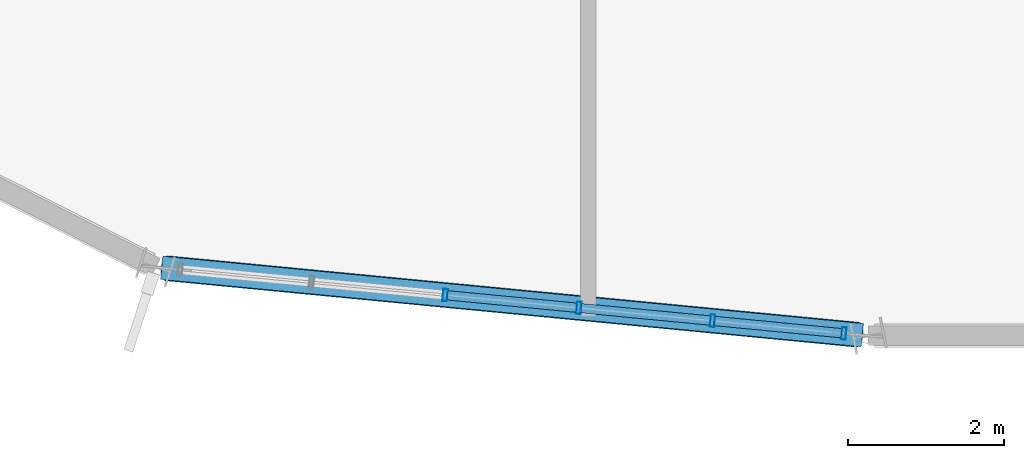
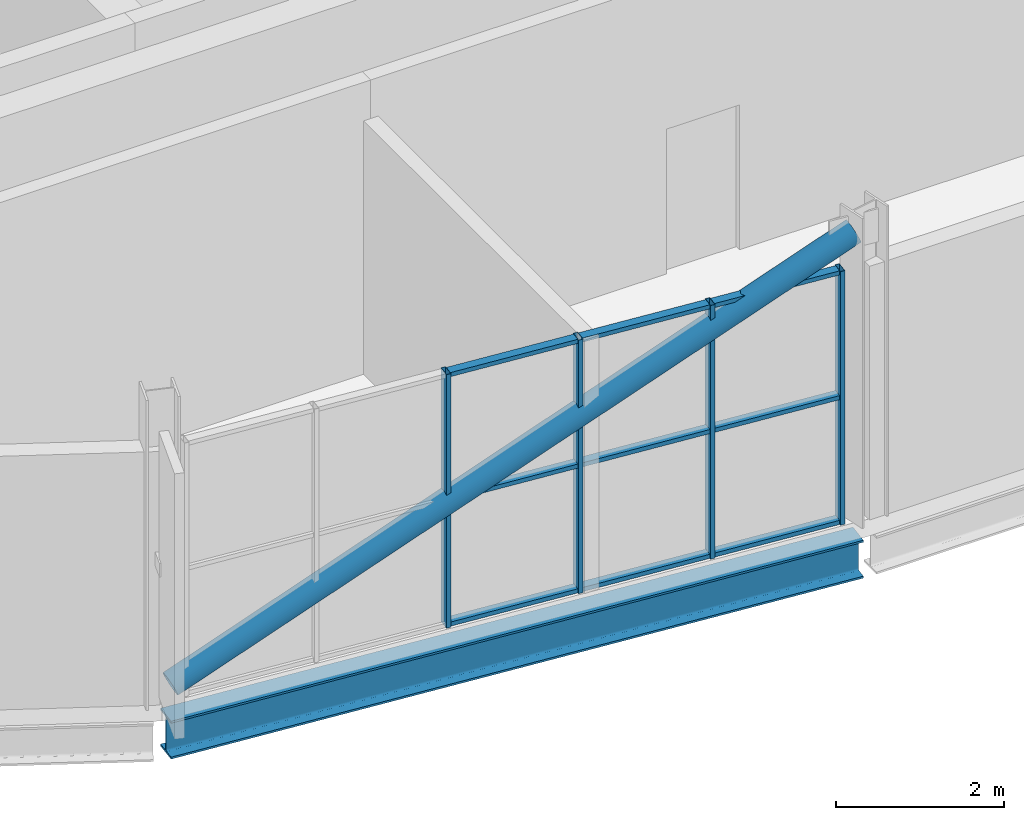
# One storey, part 5 of 22: 14 members, 1 beam, 1 element without a shape of its own.
"""IFC4 building model written with IfcOpenShell, lengths in metres."""

from ifc_helpers import new_model, si_unit, direction, frame, origin, origin_2d, place, context, subcontext, project, spatial, hollow_rectangle, hollow_circle, i_section, extrude, material, layer, layer_set, material_profile, profile_set, type_object, element, aggregate, save


model = new_model("IFC4")

# Units and contexts
model_context = context("Model", 3, precision=1e-05, world=origin(), true_north=direction((0.0, 1.0)))
body_context = subcontext(model_context, "Body", "Model", "MODEL_VIEW")
ifc_project = project(units=[si_unit("LENGTHUNIT", "METRE"), si_unit("AREAUNIT", "SQUARE_METRE"), si_unit("VOLUMEUNIT", "CUBIC_METRE"), si_unit("PLANEANGLEUNIT", "RADIAN"), si_unit("MASSUNIT", "GRAM", prefix="KILO")], contexts=[model_context])

# Site, building, storey
site_placement = place(None, origin())
site = spatial("IfcSite", under=ifc_project, at=site_placement, CompositionType="ELEMENT")
building_placement = place(site_placement, origin())
building = spatial("IfcBuilding", under=site, at=building_placement, Name="Solnavia Interchange Tower", CompositionType="ELEMENT")
storey_placement = place(building_placement, frame((0.0, 0.0, 308.699951171875)))
storey = spatial("IfcBuildingStorey", under=building, at=storey_placement, Name="C02", CompositionType="ELEMENT", Elevation=308.699951171875)

# Curtain wall, members
ifc_material_1 = material(Name="Aluminium Alloy 6063-T6", Category="aluminium")
ifc_layer = layer(ifc_material_1, 0.179931640625)
ifc_layer_set = layer_set([ifc_layer], Name="Aluminium Alloy 6063-T6")
curtain_wall_type = type_object("IfcCurtainWallType", Name="CurtainWall-Crown-CTW6", PredefinedType="NOTDEFINED", material=ifc_layer_set)
curtain_wall_placement = place(storey_placement, origin())
curtain_wall = element("IfcCurtainWall", 1, at=curtain_wall_placement, inside=storey, type_object=curtain_wall_type, Name="CTW-C02-R13 CTW-6 curtain wall", PredefinedType="NOTDEFINED")
ifc_material_profile_1 = material_profile(ifc_material_1, hollow_rectangle(XDim=0.06005859375, YDim=0.159912109375, WallThickness=0.00390625, at=origin_2d()), Name="ALU 160x60x4")
ifc_profile_set_1 = profile_set([ifc_material_profile_1], Name="Aluminium Alloy 6063-T6")
member_type_1 = type_object("IfcMemberType", Name="CW-Mullion-CWM-6", PredefinedType="MULLION", material=ifc_profile_set_1)
member_1_placement = place(storey_placement, frame((23.3603515625, 4.123046875, 0.0), z_axis=(0.0, 0.0, 1.0), x_axis=(0.995408264531, -0.095720357833, 0.0)))
member_1 = element("IfcMember", 2, at=member_1_placement, type_object=member_type_1, Name="CTW-6 mullion 3", PredefinedType="MULLION", context=body_context, shape_type="SweptSolid", body=[
    extrude(hollow_rectangle(XDim=0.06005859375, YDim=0.159912109375, WallThickness=0.00390625, at=origin_2d()), origin(), (0.0, 0.0, 1.0), 3.679931640625),
])
member_2_placement = place(storey_placement, frame((25.077880859375, 3.9580078125, 0.0), z_axis=(0.0, 0.0, 1.0), x_axis=(0.995408264531, -0.095720357833, 0.0)))
member_2 = element("IfcMember", 3, at=member_2_placement, type_object=member_type_1, Name="CTW-6 mullion 4", PredefinedType="MULLION", context=body_context, shape_type="SweptSolid", body=[
    extrude(hollow_rectangle(XDim=0.06005859375, YDim=0.159912109375, WallThickness=0.00390625, at=origin_2d()), origin(), (0.0, 0.0, 1.0), 3.679931640625),
])
member_3_placement = place(storey_placement, frame((26.795166015625, 3.792724609375, 0.0), z_axis=(0.0, 0.0, 1.0), x_axis=(0.995408264531, -0.095720357833, 0.0)))
member_3 = element("IfcMember", 4, at=member_3_placement, type_object=member_type_1, Name="CTW-6 mullion 5", PredefinedType="MULLION", context=body_context, shape_type="SweptSolid", body=[
    extrude(hollow_rectangle(XDim=0.06005859375, YDim=0.159912109375, WallThickness=0.00390625, at=origin_2d()), origin(), (0.0, 0.0, 1.0), 3.679931640625),
])
member_4_placement = place(storey_placement, frame((28.48291015625, 3.63037109375, 0.0), z_axis=(0.0, 0.0, 1.0), x_axis=(0.995408264531, -0.095720357833, 0.0)))
member_4 = element("IfcMember", 5, at=member_4_placement, type_object=member_type_1, Name="CTW-6 mullion 6", PredefinedType="MULLION", context=body_context, shape_type="SweptSolid", body=[
    extrude(hollow_rectangle(XDim=0.06005859375, YDim=0.159912109375, WallThickness=0.00390625, at=origin_2d()), origin(), (0.0, 0.0, 1.0), 3.679931640625),
])
ifc_material_profile_2 = material_profile(ifc_material_1, hollow_rectangle(XDim=0.06005859375, YDim=0.1201171875, WallThickness=0.00390625, at=origin_2d()), Name="ALU 120x60x4")
ifc_profile_set_2 = profile_set([ifc_material_profile_2], Name="Aluminium Alloy 6063-T6")
member_type_2 = type_object("IfcMemberType", Name="CW-Transom-CWT-6", PredefinedType="USERDEFINED", material=ifc_profile_set_2)
member_5_placement = place(storey_placement, frame((23.39013671875, 4.1201171875, 0.030029296875), z_axis=(0.995407417391, -0.095729166945, 0.0), x_axis=(0.0, 0.0, 1.0)))
member_5 = element("IfcMember", 6, at=member_5_placement, type_object=member_type_2, Name="CTW-6 transom 3.1", ObjectType="TRANSOM", PredefinedType="USERDEFINED", context=body_context, shape_type="SweptSolid", body=[
    extrude(hollow_rectangle(XDim=0.06005859375, YDim=0.1201171875, WallThickness=0.00390625, at=origin_2d()), origin(), (0.0, 0.0, 1.0), 1.665283203125),
])
member_6_placement = place(storey_placement, frame((23.39013671875, 4.1201171875, 1.840087890625), z_axis=(0.995407417391, -0.095729166945, 0.0), x_axis=(0.0, 0.0, 1.0)))
member_6 = element("IfcMember", 7, at=member_6_placement, type_object=member_type_2, Name="CTW-6 transom 3.2", ObjectType="TRANSOM", PredefinedType="USERDEFINED", context=body_context, shape_type="SweptSolid", body=[
    extrude(hollow_rectangle(XDim=0.06005859375, YDim=0.1201171875, WallThickness=0.00390625, at=origin_2d()), origin(), (0.0, 0.0, 1.0), 1.665283203125),
])
member_7_placement = place(storey_placement, frame((23.39013671875, 4.1201171875, 3.650146484375), z_axis=(0.995407417391, -0.095729166945, 0.0), x_axis=(0.0, 0.0, 1.0)))
member_7 = element("IfcMember", 8, at=member_7_placement, type_object=member_type_2, Name="CTW-6 transom 3.3", ObjectType="TRANSOM", PredefinedType="USERDEFINED", context=body_context, shape_type="SweptSolid", body=[
    extrude(hollow_rectangle(XDim=0.06005859375, YDim=0.1201171875, WallThickness=0.00390625, at=origin_2d()), origin(), (0.0, 0.0, 1.0), 1.665283203125),
])
member_8_placement = place(storey_placement, frame((25.107666015625, 3.955078125, 0.030029296875), z_axis=(0.995407417391, -0.095729166945, 0.0), x_axis=(0.0, 0.0, 1.0)))
member_8 = element("IfcMember", 9, at=member_8_placement, type_object=member_type_2, Name="CTW-6 transom 4.1", ObjectType="TRANSOM", PredefinedType="USERDEFINED", context=body_context, shape_type="SweptSolid", body=[
    extrude(hollow_rectangle(XDim=0.06005859375, YDim=0.1201171875, WallThickness=0.00390625, at=origin_2d()), origin(), (0.0, 0.0, 1.0), 1.665283203125),
])
member_9_placement = place(storey_placement, frame((25.107666015625, 3.955078125, 1.840087890625), z_axis=(0.995407417391, -0.095729166945, 0.0), x_axis=(0.0, 0.0, 1.0)))
member_9 = element("IfcMember", 10, at=member_9_placement, type_object=member_type_2, Name="CTW-6 transom 4.2", ObjectType="TRANSOM", PredefinedType="USERDEFINED", context=body_context, shape_type="SweptSolid", body=[
    extrude(hollow_rectangle(XDim=0.06005859375, YDim=0.1201171875, WallThickness=0.00390625, at=origin_2d()), origin(), (0.0, 0.0, 1.0), 1.665283203125),
])
member_10_placement = place(storey_placement, frame((25.107666015625, 3.955078125, 3.650146484375), z_axis=(0.995407417391, -0.095729166945, 0.0), x_axis=(0.0, 0.0, 1.0)))
member_10 = element("IfcMember", 11, at=member_10_placement, type_object=member_type_2, Name="CTW-6 transom 4.3", ObjectType="TRANSOM", PredefinedType="USERDEFINED", context=body_context, shape_type="SweptSolid", body=[
    extrude(hollow_rectangle(XDim=0.06005859375, YDim=0.1201171875, WallThickness=0.00390625, at=origin_2d()), origin(), (0.0, 0.0, 1.0), 1.665283203125),
])
member_11_placement = place(storey_placement, frame((26.8251953125, 3.789794921875, 0.030029296875), z_axis=(0.995411216921, -0.095689650577, 0.0), x_axis=(0.0, 0.0, 1.0)))
member_11 = element("IfcMember", 12, at=member_11_placement, type_object=member_type_2, Name="CTW-6 transom 5.1", ObjectType="TRANSOM", PredefinedType="USERDEFINED", context=body_context, shape_type="SweptSolid", body=[
    extrude(hollow_rectangle(XDim=0.06005859375, YDim=0.1201171875, WallThickness=0.00390625, at=origin_2d()), origin(), (0.0, 0.0, 1.0), 1.635498046875),
])
member_12_placement = place(storey_placement, frame((26.8251953125, 3.789794921875, 1.840087890625), z_axis=(0.995411216921, -0.095689650577, 0.0), x_axis=(0.0, 0.0, 1.0)))
member_12 = element("IfcMember", 13, at=member_12_placement, type_object=member_type_2, Name="CTW-6 transom 5.2", ObjectType="TRANSOM", PredefinedType="USERDEFINED", context=body_context, shape_type="SweptSolid", body=[
    extrude(hollow_rectangle(XDim=0.06005859375, YDim=0.1201171875, WallThickness=0.00390625, at=origin_2d()), origin(), (0.0, 0.0, 1.0), 1.635498046875),
])
member_13_placement = place(storey_placement, frame((26.8251953125, 3.789794921875, 3.650146484375), z_axis=(0.995411216921, -0.095689650577, 0.0), x_axis=(0.0, 0.0, 1.0)))
member_13 = element("IfcMember", 14, at=member_13_placement, type_object=member_type_2, Name="CTW-6 transom 5.3", ObjectType="TRANSOM", PredefinedType="USERDEFINED", context=body_context, shape_type="SweptSolid", body=[
    extrude(hollow_rectangle(XDim=0.06005859375, YDim=0.1201171875, WallThickness=0.00390625, at=origin_2d()), origin(), (0.0, 0.0, 1.0), 1.635498046875),
])
aggregate(curtain_wall, [member_1, member_2, member_3, member_4, member_5, member_6, member_7, member_8, member_9, member_10, member_11, member_12, member_13])

# Member
ifc_material_2 = material(Name="Steel S355", Category="steel")
ifc_material_profile_3 = material_profile(ifc_material_2, hollow_circle(Radius=0.161865234375, WallThickness=0.01611328125, at=origin_2d()), Name="CHS 323.9x16")
ifc_profile_set_3 = profile_set([ifc_material_profile_3], Name="Steel S355")
member_type_3 = type_object("IfcMemberType", Name="CrownFrame-Brace-CHS323", PredefinedType="BRACE", material=ifc_profile_set_3)
member_14_placement = place(storey_placement, frame((19.77734375, 4.467529296875, 0.179931640625), z_axis=(0.90909000088, -0.087421148603, 0.407324088505), x_axis=(0.095721789585, 0.99540812685, 0.0)))
element("IfcMember", 15, at=member_14_placement, inside=storey, type_object=member_type_3, Name="BRC-C02-CF13 CROWN FRAME ring brace", PredefinedType="BRACE", context=body_context, shape_type="SweptSolid", body=[
    extrude(hollow_circle(Radius=0.161865234375, WallThickness=0.01611328125, at=origin_2d()), origin(), (0.0, 0.0, 1.0), 9.771728515625),
])

# Beam
ifc_material_3 = material(Name="Steel S460", Category="steel")
ifc_material_profile_4 = material_profile(ifc_material_3, i_section(OverallWidth=0.300048828125, OverallDepth=0.550048828125, WebThickness=0.014892578125, FlangeThickness=0.029052734375, FilletRadius=0.027099609375, at=origin_2d()), Name="HEB 550")
ifc_profile_set_4 = profile_set([ifc_material_profile_4], Name="Steel S460")
beam_type = type_object("IfcBeamType", Name="CrownFrame-Ring-HEB550", PredefinedType="BEAM", material=ifc_profile_set_4)
beam_placement = place(storey_placement, frame((19.717529296875, 4.473388671875, -0.52490234375), z_axis=(0.995408435602, -0.095718578822, 0.0), x_axis=(0.095718578822, 0.995408435602, 0.0)))
element("IfcBeam", 16, at=beam_placement, inside=storey, type_object=beam_type, Name="GRD-C02-CR13 CROWN FRAME outer collar ring beam", PredefinedType="BEAM", context=body_context, shape_type="SweptSolid", body=[
    extrude(i_section(OverallWidth=0.300048828125, OverallDepth=0.550048828125, WebThickness=0.014892578125, FlangeThickness=0.029052734375, FilletRadius=0.027099609375, at=origin_2d()), origin(), (0.0, 0.0, 1.0), 9.04443359375),
])

save(model, "model.ifc")
